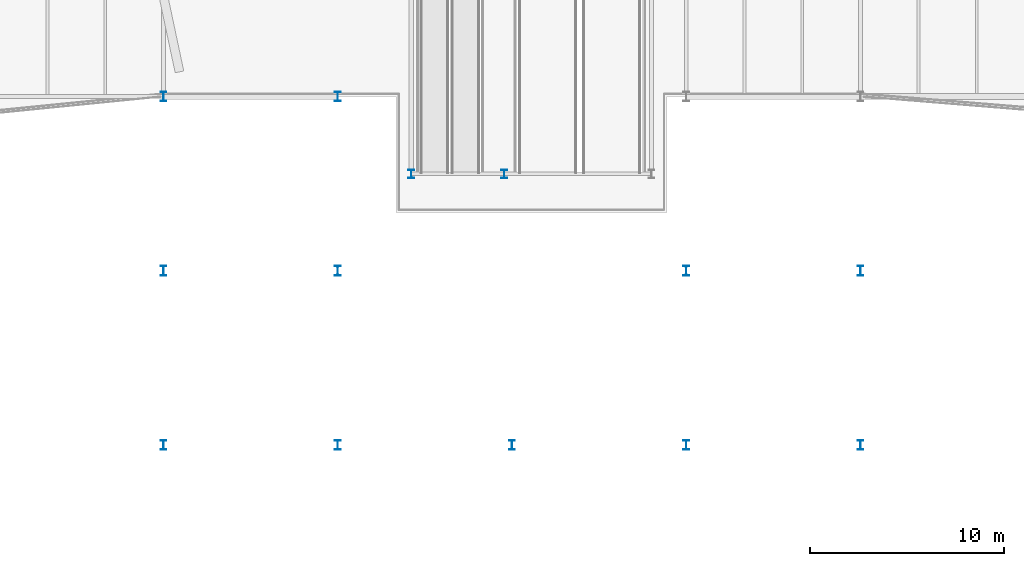
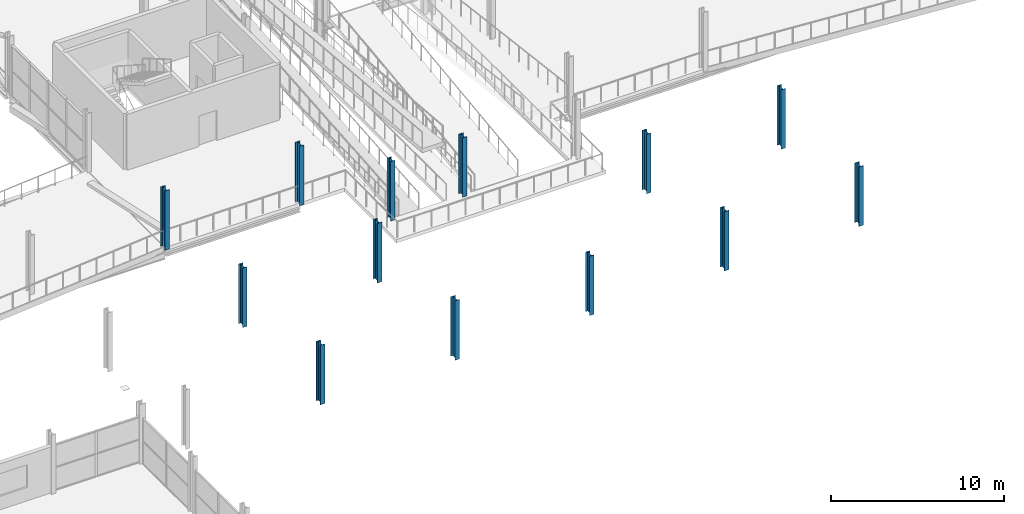
# One storey, part 6 of 135: 13 columns.
"""IFC4 building model written with IfcOpenShell, lengths in metres."""

import ifcopenshell
import ifcopenshell.guid

model = None  # the IFC model being written
_history = None  # IfcOwnerHistory: only IFC2X3 demands one
_inside = {}  # id of a spatial element -> (the spatial element, [elements in it])
_under = {}  # id of a project, library or spatial element -> (it, [spatial elements below it])
_declared = {}  # id of a project -> (the project, [libraries it declares])
_typed = {}  # id of a type object -> (the type object, [elements of that type])
_made_of = {}  # id of a material, layer set ... -> (it, [elements and type objects made of it])


def new_model(schema):
    """Start an empty IFC model of exactly this schema.

    Asked for "IFC4X3", IfcOpenShell would pick the latest addendum, in which some entities
    have other attributes; the version numbers below select the first issue.
    IFC2X3 requires an IfcOwnerHistory on every rooted entity: one is made here for all.
    """
    global model, _history
    if schema == "IFC4X3":
        model = ifcopenshell.file(schema_version=(4, 3, 0, 0))
    else:
        model = ifcopenshell.file(schema=schema)
    _inside.clear()
    _under.clear()
    _declared.clear()
    _typed.clear()
    _made_of.clear()
    _history = None
    if model.schema == "IFC2X3":
        org = make("IfcOrganization", Name="unknown")
        user = make(
            "IfcPersonAndOrganization",
            ThePerson=make("IfcPerson", FamilyName="unknown"),
            TheOrganization=org,
        )
        app = make(
            "IfcApplication",
            ApplicationDeveloper=org,
            Version="unknown",
            ApplicationFullName="unknown",
            ApplicationIdentifier="unknown",
        )
        _history = make(
            "IfcOwnerHistory",
            OwningUser=user,
            OwningApplication=app,
            ChangeAction="ADDED",
            CreationDate=0,
        )
    return model


def make(cls, **values):
    """One entity of the class cls with the attributes given. An attribute that is None is left unset."""
    return model.create_entity(
        cls, **{name: value for name, value in values.items() if value is not None}
    )


def rooted(cls, **values):
    """An entity with a GlobalId (a new one), such as an element, a storey or a relation."""
    return make(cls, GlobalId=ifcopenshell.guid.new(), OwnerHistory=_history, **values)


def si_unit(unit_type, name, prefix=None):
    """IfcSIUnit, for example si_unit("LENGTHUNIT", "METRE", prefix="MILLI")."""
    return make("IfcSIUnit", UnitType=unit_type, Prefix=prefix, Name=name)


def assignment(units):
    """IfcUnitAssignment: the units of a project."""
    return None if units is None else make("IfcUnitAssignment", Units=units)


def point(xyz):
    """IfcCartesianPoint."""
    return None if xyz is None else make("IfcCartesianPoint", Coordinates=xyz)


def direction(xyz):
    """IfcDirection."""
    return None if xyz is None else make("IfcDirection", DirectionRatios=xyz)


def frame(location, z_axis=None, x_axis=None):
    """IfcAxis2Placement3D, a coordinate frame: its origin and axes. An axis left out is left unset."""
    return make(
        "IfcAxis2Placement3D",
        Location=point(location),
        Axis=direction(z_axis),
        RefDirection=direction(x_axis),
    )


def frame_2d(location, x_axis=None):
    """IfcAxis2Placement2D, a coordinate frame in the plane: its origin and x axis."""
    return make(
        "IfcAxis2Placement2D", Location=point(location), RefDirection=direction(x_axis)
    )


def origin():
    """The frame at (0, 0, 0) with its axes left unset."""
    return frame((0.0, 0.0, 0.0))


def origin_2d():
    """The frame at (0, 0) in the plane with its x axis left unset."""
    return frame_2d((0.0, 0.0))


def place(relative_to, where):
    """IfcLocalPlacement: puts the frame where relative to a parent placement (None: the world)."""
    return make(
        "IfcLocalPlacement", PlacementRelTo=relative_to, RelativePlacement=where
    )


def context(
    kind, dimensions, precision=None, world=None, true_north=None, identifier=None
):
    """IfcGeometricRepresentationContext, for example the 3D "Model" context."""
    return make(
        "IfcGeometricRepresentationContext",
        ContextIdentifier=identifier,
        ContextType=kind,
        CoordinateSpaceDimension=dimensions,
        Precision=precision,
        WorldCoordinateSystem=world,
        TrueNorth=true_north,
    )


def subcontext(parent, identifier, kind, view, scale=None):
    """IfcGeometricRepresentationSubContext, for example "Body" below "Model"."""
    return make(
        "IfcGeometricRepresentationSubContext",
        ContextIdentifier=identifier,
        ContextType=kind,
        ParentContext=parent,
        TargetScale=scale,
        TargetView=view,
    )


def project(units=None, contexts=None):
    """IfcProject with its units and contexts."""
    return rooted(
        "IfcProject",
        Name="project",
        RepresentationContexts=contexts,
        UnitsInContext=assignment(units),
    )


def spatial(cls, under=None, at=None, **own):
    """A site, building, storey or space (cls), placed at a placement, below another one or the project."""
    s = rooted(cls, ObjectPlacement=at, **own)
    if under is not None:
        _under.setdefault(under.id(), (under, []))[1].append(s)
    return s


def profile(cls, at=None, kind="AREA", **sizes):
    """A parametric profile (cls). Its sizes go by their IFC names, for example OverallWidth=200.0."""
    return make(cls, ProfileType=kind, Position=at, **sizes)


def i_section(**sizes):
    """IfcIShapeProfileDef."""
    return profile("IfcIShapeProfileDef", **sizes)


def extrude(swept, where, along, depth):
    """IfcExtrudedAreaSolid: the profile swept, set in the frame where, extruded along a direction by depth."""
    return make(
        "IfcExtrudedAreaSolid",
        SweptArea=swept,
        Position=where,
        ExtrudedDirection=direction(along),
        Depth=depth,
    )


def shape(context_of_items, identifier, shape_type, items):
    """IfcShapeRepresentation: the items that make up one representation, for example the "Body"."""
    return make(
        "IfcShapeRepresentation",
        ContextOfItems=context_of_items,
        RepresentationIdentifier=identifier,
        RepresentationType=shape_type,
        Items=items,
    )


def material(Name=None, Category=None):
    """IfcMaterial."""
    return make("IfcMaterial", Name=Name, Category=Category)


def material_profile(
    of_material, cross_section, Name=None, Category=None, Priority=None
):
    """IfcMaterialProfile: a cross section and its material."""
    return make(
        "IfcMaterialProfile",
        Name=Name,
        Material=of_material,
        Profile=cross_section,
        Priority=Priority,
        Category=Category,
    )


def profile_set(profiles, Name=None, composite=None):
    """IfcMaterialProfileSet."""
    return make(
        "IfcMaterialProfileSet",
        Name=Name,
        MaterialProfiles=profiles,
        CompositeProfile=composite,
    )


def made_of(thing, what):
    """Note that an element or type object is made of a material, layer set ...; save() writes the relation."""
    if what is not None:
        _made_of.setdefault(what.id(), (what, []))[1].append(thing)
    return thing


def type_object(cls, material=None, **own):
    """A type object (cls), such as IfcWallType, which elements share."""
    return made_of(rooted(cls, **own), material)


def element(
    cls,
    number,
    at=None,
    inside=None,
    cuts=None,
    type_object=None,
    material=None,
    context=None,
    identifier="Body",
    shape_type=None,
    held_by="IfcProductDefinitionShape",
    body=None,
    shapes=None,
    **own,
):
    """One element of the class cls, such as IfcWall. Its Tag is "e" and its number.

    at: its placement. inside: the storey or other place that contains it. cuts: it is an
    opening in that element (IfcRelVoidsElement). A single representation is given by context,
    identifier, shape_type and body (its items); several are given by shapes. held_by: the class
    of the entity that holds the representations. save() writes the other relations.
    """
    e = rooted(cls, Tag="e%d" % number, ObjectPlacement=at, **own)
    if body is not None:
        shapes = [shape(context, identifier, shape_type, body)]
    if shapes is not None:
        e.Representation = make(held_by, Representations=shapes)
    if inside is not None:
        _inside.setdefault(inside.id(), (inside, []))[1].append(e)
    if cuts is not None:
        rooted(
            "IfcRelVoidsElement", RelatingBuildingElement=cuts, RelatedOpeningElement=e
        )
    if type_object is not None:
        _typed.setdefault(type_object.id(), (type_object, []))[1].append(e)
    return made_of(e, material)


def aggregate(whole, parts):
    """IfcRelAggregates: a whole, such as a stair, and the parts it consists of."""
    return rooted("IfcRelAggregates", RelatingObject=whole, RelatedObjects=parts)


def save(model, path):
    """Write the relations noted so far, then the file.

    IfcRelAggregates (storeys below a building ...), IfcRelContainedInSpatialStructure (elements
    in a storey), IfcRelDefinesByType, IfcRelAssociatesMaterial and IfcRelDeclares: one each for
    every whole, place, type object, material and project.
    """
    for whole, parts in _under.values():
        aggregate(whole, parts)
    for where, things in _inside.values():
        rooted(
            "IfcRelContainedInSpatialStructure",
            RelatedElements=things,
            RelatingStructure=where,
        )
    for kind, things in _typed.values():
        rooted("IfcRelDefinesByType", RelatedObjects=things, RelatingType=kind)
    for what, things in _made_of.values():
        rooted("IfcRelAssociatesMaterial", RelatedObjects=things, RelatingMaterial=what)
    for by, libraries in _declared.values():
        rooted("IfcRelDeclares", RelatingContext=by, RelatedDefinitions=libraries)
    model.write(path)


model = new_model("IFC4")

# Units and contexts
model_context = context("Model", 3, precision=1e-05, world=origin(), true_north=direction((0.0, 1.0)))
body_context = subcontext(model_context, "Body", "Model", "MODEL_VIEW")
ifc_project = project(units=[si_unit("LENGTHUNIT", "METRE"), si_unit("AREAUNIT", "SQUARE_METRE"), si_unit("VOLUMEUNIT", "CUBIC_METRE"), si_unit("PLANEANGLEUNIT", "RADIAN"), si_unit("MASSUNIT", "GRAM", prefix="KILO")], contexts=[model_context])

# Site, building, storey
site_placement = place(None, origin())
site = spatial("IfcSite", under=ifc_project, at=site_placement, CompositionType="ELEMENT")
building_placement = place(site_placement, origin())
building = spatial("IfcBuilding", under=site, at=building_placement, Name="Deido Ridge Mobility Hub", CompositionType="ELEMENT")
storey_placement = place(building_placement, frame((0.0, 0.0, 4.199951171875)))
storey = spatial("IfcBuildingStorey", under=building, at=storey_placement, Name="L01", CompositionType="ELEMENT", Elevation=4.199951171875)

# Columns
ifc_material = material(Name="Steel S355J2 EN 10025-2", Category="steel")
ifc_material_profile_1 = material_profile(ifc_material, i_section(OverallWidth=0.300048828125, OverallDepth=0.449951171875, WebThickness=0.013916015625, FlangeThickness=0.02587890625, FilletRadius=0.027099609375, at=origin_2d()), Name="HEB 450")
ifc_profile_set_1 = profile_set([ifc_material_profile_1], Name="Steel S355J2 EN 10025-2")
column_type_1 = type_object("IfcColumnType", Name="COL-HEB450", PredefinedType="COLUMN", material=ifc_profile_set_1)
for number, where, z_axis, x_axis, name in (
    (1, (84.800048828125, 50.0, 0.0), (0.0, 0.0, 1.0), (1.0, 0.0, 0.0), "Structural column C6"),
    (2, (89.60009765625, 50.0, 0.0), (0.0, 0.0, 1.0), (1.0, 0.0, 0.0), "Structural column C6"),
):
    element("IfcColumn", number, at=place(storey_placement, frame(where, z_axis=z_axis, x_axis=x_axis)), inside=storey, type_object=column_type_1, Name=name, PredefinedType="COLUMN", context=body_context, shape_type="SweptSolid", body=[
        extrude(i_section(OverallWidth=0.300048828125, OverallDepth=0.449951171875, WebThickness=0.013916015625, FlangeThickness=0.02587890625, FilletRadius=0.027099609375, at=origin_2d()), origin(), (0.0, 0.0, 1.0), 4.199951171875),
    ])
ifc_material_profile_2 = material_profile(ifc_material, i_section(OverallWidth=0.300048828125, OverallDepth=0.5, WebThickness=0.014404296875, FlangeThickness=0.028076171875, FilletRadius=0.027099609375, at=origin_2d()), Name="HEB 500")
ifc_profile_set_2 = profile_set([ifc_material_profile_2], Name="Steel S355J2 EN 10025-2")
column_type_2 = type_object("IfcColumnType", Name="COL-HEB500", PredefinedType="COLUMN", material=ifc_profile_set_2)
for number, where, z_axis, x_axis, name in (
    (3, (72.0, 45.0, 0.0), (0.0, 0.0, 1.0), (1.0, 0.0, 0.0), "Structural column C5"),
    (4, (72.0, 54.0, 0.0), (0.0, 0.0, 1.0), (1.0, 0.0, 0.0), "Structural column C5"),
    (5, (81.0, 45.0, 0.0), (0.0, 0.0, 1.0), (1.0, 0.0, 0.0), "Structural column C5"),
    (6, (81.0, 54.0, 0.0), (0.0, 0.0, 1.0), (1.0, 0.0, 0.0), "Structural column C5"),
    (7, (99.0, 45.0, 0.0), (0.0, 0.0, 1.0), (1.0, 0.0, 0.0), "Structural column C5"),
    (8, (108.0, 45.0, 0.0), (0.0, 0.0, 1.0), (1.0, 0.0, 0.0), "Structural column C5"),
    (9, (72.0, 36.0, 0.0), (0.0, 0.0, 1.0), (1.0, 0.0, 0.0), "Structural column C5"),
    (10, (81.0, 36.0, 0.0), (0.0, 0.0, 1.0), (1.0, 0.0, 0.0), "Structural column C5"),
    (11, (90.0, 36.0, 0.0), (0.0, 0.0, 1.0), (1.0, 0.0, 0.0), "Structural column C5"),
    (12, (99.0, 36.0, 0.0), (0.0, 0.0, 1.0), (1.0, 0.0, 0.0), "Structural column C5"),
    (13, (108.0, 36.0, 0.0), (0.0, 0.0, 1.0), (1.0, 0.0, 0.0), "Structural column C5"),
):
    element("IfcColumn", number, at=place(storey_placement, frame(where, z_axis=z_axis, x_axis=x_axis)), inside=storey, type_object=column_type_2, Name=name, PredefinedType="COLUMN", context=body_context, shape_type="SweptSolid", body=[
        extrude(i_section(OverallWidth=0.300048828125, OverallDepth=0.5, WebThickness=0.014404296875, FlangeThickness=0.028076171875, FilletRadius=0.027099609375, at=origin_2d()), origin(), (0.0, 0.0, 1.0), 4.199951171875),
    ])

save(model, "model.ifc")
